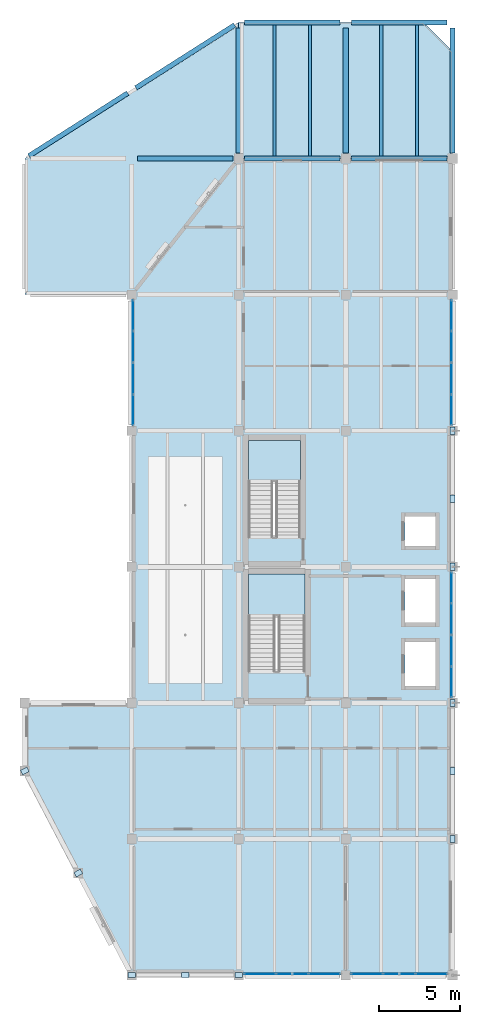
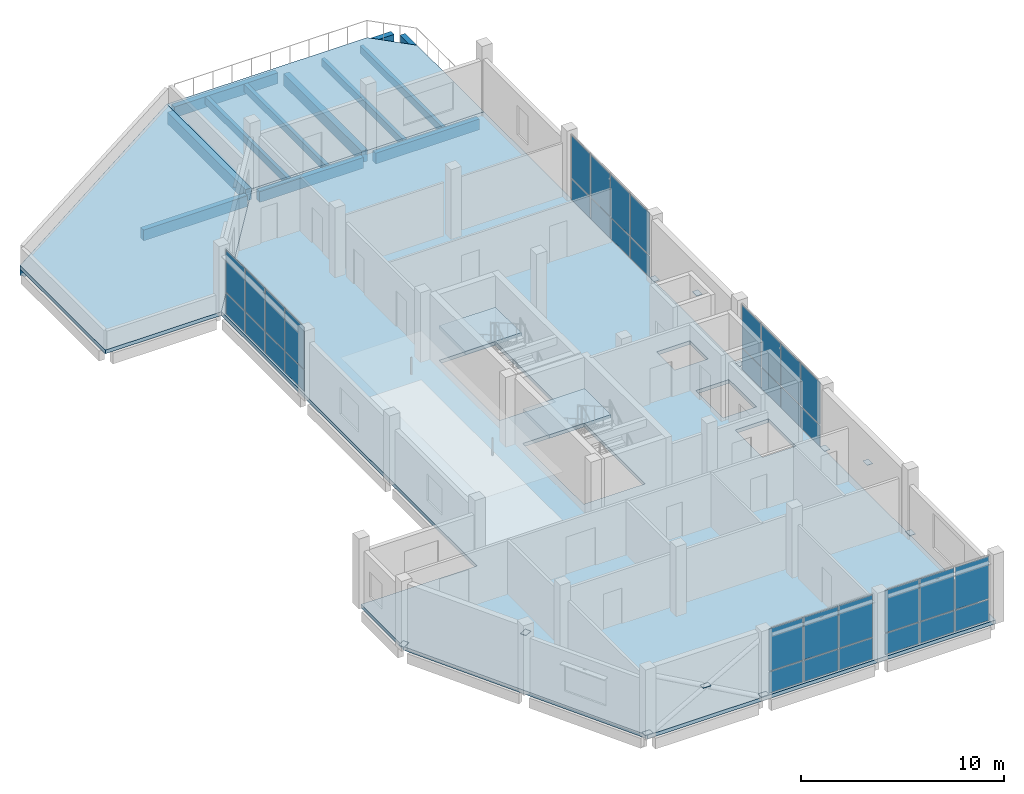
# One storey, part 5 of 12: 47 plates, 14 beams, 5 slabs, 7 elements without a shape of their own.
"""IFC4 building model written with IfcOpenShell, lengths in metres."""

from ifc_helpers import new_model, si_unit, direction, frame, origin, origin_2d, place, context, subcontext, project, spatial, polyline, rectangle, outline, extrude, material, layer, layer_set, material_profile, profile_set, type_object, element, aggregate, save


model = new_model("IFC4")

# Units and contexts
model_context = context("Model", 3, precision=1e-05, world=origin(), true_north=direction((0.0, 1.0)))
body_context = subcontext(model_context, "Body", "Model", "MODEL_VIEW")
ifc_project = project(units=[si_unit("LENGTHUNIT", "METRE"), si_unit("AREAUNIT", "SQUARE_METRE"), si_unit("VOLUMEUNIT", "CUBIC_METRE"), si_unit("PLANEANGLEUNIT", "RADIAN"), si_unit("MASSUNIT", "GRAM", prefix="KILO")], contexts=[model_context])

# Site, building, storey
site_placement = place(None, origin())
site = spatial("IfcSite", under=ifc_project, at=site_placement, CompositionType="ELEMENT")
building_placement = place(site_placement, origin())
building = spatial("IfcBuilding", under=site, at=building_placement, Name="Qaldarim Faculty of Natural and Applied Sciences", CompositionType="ELEMENT")
storey_placement = place(building_placement, frame((0.0, 0.0, 31.199951171875)))
storey = spatial("IfcBuildingStorey", under=building, at=storey_placement, Name="L07", CompositionType="ELEMENT", Elevation=31.199951171875)

# Beams
ifc_material_1 = material(Name="Concrete C40/50", Category="concrete")
ifc_material_profile_1 = material_profile(ifc_material_1, rectangle(XDim=0.199951171875, YDim=0.449951171875, at=origin_2d()), Name="RC-J200x450")
ifc_profile_set_1 = profile_set([ifc_material_profile_1], Name="Concrete C40/50")
beam_type_1 = type_object("IfcBeamType", Name="LabJoist-RC200x450", PredefinedType="JOIST", material=ifc_profile_set_1)
for number, where, z_axis, x_axis, name in (
    (1, (167.199951171875, 50.550048828125, -0.445068359375), (0.0, 1.0, 0.0), (-1.0, 0.0, 0.0), "Laboratory joist L06 bay X26Y07-1"),
    (2, (169.39990234375, 50.550048828125, -0.445068359375), (0.0, 1.0, 0.0), (-1.0, 0.0, 0.0), "Laboratory joist L06 bay X26Y07-2"),
    (3, (173.800048828125, 50.550048828125, -0.445068359375), (0.0, 1.0, 0.0), (-1.0, 0.0, 0.0), "Laboratory joist L06 bay X27Y07-1"),
    (4, (176.0, 50.550048828125, -0.445068359375), (0.0, 1.0, 0.0), (-1.0, 0.0, 0.0), "Laboratory joist L06 bay X27Y07-2"),
):
    element("IfcBeam", number, at=place(storey_placement, frame(where, z_axis=z_axis, x_axis=x_axis)), inside=storey, type_object=beam_type_1, Name=name, PredefinedType="JOIST", context=body_context, shape_type="SweptSolid", body=[
        extrude(rectangle(XDim=0.199951171875, YDim=0.449951171875, at=origin_2d()), origin(), (0.0, 0.0, 1.0), 8.099853515625),
    ])
ifc_material_profile_2 = material_profile(ifc_material_1, rectangle(XDim=0.300048828125, YDim=0.64990234375, at=origin_2d()), Name="RC-B300x650")
ifc_profile_set_2 = profile_set([ifc_material_profile_2], Name="Concrete C40/50")
beam_type_2 = type_object("IfcBeamType", Name="PrimaryBeam-RC300x650", PredefinedType="BEAM", material=ifc_profile_set_2)
for number, where, z_axis, x_axis, name in (
    (5, (158.75, 50.39990234375, -0.544921875), (1.0, 0.0, 0.0), (0.0, 1.0, 0.0), "Beam RC-B300x650 L06 X25-X26/Y07"),
    (6, (165.35009765625, 50.39990234375, -0.544921875), (1.0, 0.0, 0.0), (0.0, 1.0, 0.0), "Beam RC-B300x650 L06 X26-X27/Y07"),
):
    element("IfcBeam", number, at=place(storey_placement, frame(where, z_axis=z_axis, x_axis=x_axis)), inside=storey, type_object=beam_type_2, Name=name, PredefinedType="BEAM", context=body_context, shape_type="SweptSolid", body=[
        extrude(rectangle(XDim=0.300048828125, YDim=0.64990234375, at=origin_2d()), origin(), (0.0, 0.0, 1.0), 5.89990234375),
    ])
beam_1_placement = place(storey_placement, frame((171.949951171875, 50.39990234375, -0.544921875), z_axis=(1.0, 0.0, 0.0), x_axis=(0.0, 1.0, 0.0)))
element("IfcBeam", 7, at=beam_1_placement, inside=storey, type_object=beam_type_2, Name="Beam RC-B300x650 L06 X27-X28/Y07", PredefinedType="BEAM", context=body_context, shape_type="SweptSolid", body=[
    extrude(rectangle(XDim=0.300048828125, YDim=0.64990234375, at=origin_2d()), origin(), (0.0, 0.0, 1.0), 5.900146484375),
])
beam_2_placement = place(storey_placement, frame((165.35009765625, 58.800048828125, -0.544921875), z_axis=(1.0, 0.0, 0.0), x_axis=(0.0, 1.0, 0.0)))
element("IfcBeam", 8, at=beam_2_placement, inside=storey, type_object=beam_type_2, Name="Beam RC-B300x650 L06 X26-X27/Y08", PredefinedType="BEAM", context=body_context, shape_type="SweptSolid", body=[
    extrude(rectangle(XDim=0.300048828125, YDim=0.64990234375, at=origin_2d()), origin(), (0.0, 0.0, 1.0), 5.89990234375),
])
beam_3_placement = place(storey_placement, frame((171.949951171875, 58.800048828125, -0.544921875), z_axis=(1.0, 0.0, 0.0), x_axis=(0.0, 1.0, 0.0)))
element("IfcBeam", 9, at=beam_3_placement, inside=storey, type_object=beam_type_2, Name="Beam RC-B300x650 L06 X27-X28/Y08", PredefinedType="BEAM", context=body_context, shape_type="SweptSolid", body=[
    extrude(rectangle(XDim=0.300048828125, YDim=0.64990234375, at=origin_2d()), origin(), (0.0, 0.0, 1.0), 5.900146484375),
])
ifc_material_profile_3 = material_profile(ifc_material_1, rectangle(XDim=0.35009765625, YDim=0.699951171875, at=origin_2d()), Name="RC-B350x700")
ifc_profile_set_3 = profile_set([ifc_material_profile_3], Name="Concrete C40/50")
beam_type_3 = type_object("IfcBeamType", Name="PrimaryGirder-RC350x700", PredefinedType="BEAM", material=ifc_profile_set_3)
for number, where, z_axis, x_axis, name in (
    (10, (165.0, 50.75, -0.570068359375), (0.0, 1.0, 0.0), (-1.0, 0.0, 0.0), "Beam RC-B350x700 L06 X26/Y07-Y08"),
    (11, (171.60009765625, 50.75, -0.570068359375), (0.0, 1.0, 0.0), (-1.0, 0.0, 0.0), "Beam RC-B350x700 L06 X27/Y07-Y08"),
):
    element("IfcBeam", number, at=place(storey_placement, frame(where, z_axis=z_axis, x_axis=x_axis)), inside=storey, type_object=beam_type_3, Name=name, PredefinedType="BEAM", context=body_context, shape_type="SweptSolid", body=[
        extrude(rectangle(XDim=0.35009765625, YDim=0.699951171875, at=origin_2d()), origin(), (0.0, 0.0, 1.0), 7.699951171875),
    ])
ifc_material_2 = material(Name="Precast concrete C40/50", Category="concrete")
ifc_material_profile_4 = material_profile(ifc_material_2, rectangle(XDim=0.300048828125, YDim=0.60009765625, at=origin_2d()), Name="RC-SP300x600")
ifc_profile_set_4 = profile_set([ifc_material_profile_4], Name="Precast concrete C40/50")
beam_type_4 = type_object("IfcBeamType", Name="SpandrelBeam-RC300x600", PredefinedType="SPANDREL", material=ifc_profile_set_4)
beam_4_placement = place(storey_placement, frame((178.199951171875, 50.75, -0.52001953125), z_axis=(0.0, 1.0, 0.0), x_axis=(-1.0, 0.0, 0.0)))
element("IfcBeam", 12, at=beam_4_placement, inside=storey, type_object=beam_type_4, Name="Beam RC-SP300x600 L06 X28/Y07-Y08", PredefinedType="SPANDREL", context=body_context, shape_type="SweptSolid", body=[
    extrude(rectangle(XDim=0.300048828125, YDim=0.60009765625, at=origin_2d()), origin(), (0.0, 0.0, 1.0), 7.699951171875),
])
beam_5_placement = place(storey_placement, frame((152.050048828125, 50.56005859375, -0.52001953125), z_axis=(0.843776886751, 0.536694107835, 0.0), x_axis=(-0.536694107835, 0.843776886751, 0.0)))
element("IfcBeam", 13, at=beam_5_placement, inside=storey, type_object=beam_type_4, Name="Oblique NW chamfer spandrel L06 1", PredefinedType="SPANDREL", context=body_context, shape_type="SweptSolid", body=[
    extrude(rectangle(XDim=0.300048828125, YDim=0.60009765625, at=origin_2d()), origin(), (0.0, 0.0, 1.0), 7.229248046875),
])
beam_6_placement = place(storey_placement, frame((158.64990234375, 54.760009765625, -0.52001953125), z_axis=(0.843786613851, 0.536678814829, 0.0), x_axis=(-0.536678814829, 0.843786613851, 0.0)))
element("IfcBeam", 14, at=beam_6_placement, inside=storey, type_object=beam_type_4, Name="Oblique NW chamfer spandrel L06 2", PredefinedType="SPANDREL", context=body_context, shape_type="SweptSolid", body=[
    extrude(rectangle(XDim=0.300048828125, YDim=0.60009765625, at=origin_2d()), origin(), (0.0, 0.0, 1.0), 7.2294921875),
])

# Slab
ifc_layer_1 = layer(ifc_material_1, 0.239990234375)
ifc_layer_set_1 = layer_set([ifc_layer_1], Name="Concrete C40/50")
slab_type_1 = type_object("IfcSlabType", Name="FlatStructuralRoofSlab-240", PredefinedType="ROOF", material=ifc_layer_set_1)
slab_1_placement = place(storey_placement, frame((0.0, 0.0, -0.219970703125)))
element("IfcSlab", 15, at=slab_1_placement, inside=storey, type_object=slab_type_1, Name="Research wing lower NW setback roof slab L07", PredefinedType="ROOF", context=body_context, shape_type="SweptSolid", body=[
    extrude(outline(polyline([(151.800048828125, 42.0), (158.39990234375, 42.0), (165.0, 50.39990234375), (165.0, 58.800048828125), (151.800048828125, 50.39990234375), (151.800048828125, 42.0)])), origin(), (0.0, 0.0, 1.0), 0.219970703125),
])

# Plates
ifc_material_3 = material(Name="Structural steel S355", Category="steel")
ifc_layer_2 = layer(ifc_material_3, 0.02001953125)
ifc_layer_set_2 = layer_set([ifc_layer_2], Name="Structural steel S355")
plate_type_1 = type_object("IfcPlateType", Name="GussetPlate-S355-450x320x20", PredefinedType="SHEET", material=ifc_layer_set_2)
for number, where, z_axis, x_axis, name in (
    (16, (161.699951171875, 0.0, 1.830078125), (0.0, 0.0, 1.0), (1.0, 0.0, 0.0), "South diagrid L07 X-crossing gusset plate"),
    (17, (158.39990234375, 0.0, 0.14013671875), (0.0, 0.0, 1.0), (1.0, 0.0, 0.0), "South diagrid L07 base gusset BL"),
    (18, (165.0, 0.0, 0.14013671875), (0.0, 0.0, 1.0), (1.0, 0.0, 0.0), "South diagrid L07 base gusset BR"),
    (19, (178.199951171875, 12.60009765625, 1.830078125), (0.0, 0.0, 1.0), (0.0, 1.0, 0.0), "East diagrid L07 X-crossing gusset plate"),
    (20, (178.199951171875, 8.39990234375, 0.14013671875), (0.0, 0.0, 1.0), (0.0, 1.0, 0.0), "East diagrid L07 base gusset BL"),
    (21, (178.199951171875, 16.800048828125, 0.14013671875), (0.0, 0.0, 1.0), (0.0, 1.0, 0.0), "East diagrid L07 base gusset BR"),
    (22, (178.199951171875, 29.39990234375, 1.830078125), (0.0, 0.0, 1.0), (0.0, 1.0, 0.0), "Upper east diagrid L07 X-crossing gusset plate"),
    (23, (178.199951171875, 25.199951171875, 0.14013671875), (0.0, 0.0, 1.0), (0.0, 1.0, 0.0), "Upper east diagrid L07 base gusset BL"),
    (24, (178.199951171875, 33.60009765625, 0.14013671875), (0.0, 0.0, 1.0), (0.0, 1.0, 0.0), "Upper east diagrid L07 base gusset BR"),
    (25, (151.800048828125, 12.60009765625, 0.150146484375), (0.0, 0.0, 1.0), (0.882947592859, 0.469471562786, 0.0), "Oblique SW brace base plate L07 1"),
    (26, (155.10009765625, 6.300048828125, 3.510009765625), (0.0, 0.0, 1.0), (0.882947592859, 0.469471562786, 0.0), "Oblique SW brace head plate L07 1"),
):
    element("IfcPlate", number, at=place(storey_placement, frame(where, z_axis=z_axis, x_axis=x_axis)), inside=storey, type_object=plate_type_1, Name=name, PredefinedType="SHEET", context=body_context, shape_type="SweptSolid", body=[
        extrude(rectangle(XDim=0.449951171875, YDim=0.320068359375, at=origin_2d()), origin(), (0.0, 0.0, 1.0), 0.02001953125),
    ])

# Slab
ifc_layer_3 = layer(ifc_material_1, 0.219970703125)
ifc_layer_set_3 = layer_set([ifc_layer_3], Name="Concrete C40/50")
slab_type_2 = type_object("IfcSlabType", Name="ResearchWingSlab-220", PredefinedType="FLOOR", material=ifc_layer_set_3)
slab_2_placement = place(storey_placement, frame((0.0, 0.0, -0.219970703125)))
element("IfcSlab", 27, at=slab_2_placement, inside=storey, type_object=slab_type_2, Name="Floor slab L07 V5", PredefinedType="FLOOR", context=body_context, shape_type="SweptSolid", body=[
    extrude(outline(polyline([(158.39990234375, 0.0), (178.199951171875, 0.0), (178.199951171875, 50.39990234375), (165.0, 50.39990234375), (158.39990234375, 42.0), (158.39990234375, 16.800048828125), (151.800048828125, 16.800048828125), (151.800048828125, 12.60009765625), (158.39990234375, 0.0)]), holes=[polyline([(169.10009765625, 18.764892578125), (169.10009765625, 24.77490234375), (165.60009765625, 24.77490234375), (165.60009765625, 18.764892578125), (169.10009765625, 18.764892578125)]), polyline([(168.800048828125, 27.06494140625), (168.800048828125, 33.02490234375), (165.60009765625, 33.02490234375), (165.60009765625, 27.06494140625), (168.800048828125, 27.06494140625)]), polyline([(175.25, 17.85009765625), (177.14990234375, 17.85009765625), (177.14990234375, 20.550048828125), (175.25, 20.550048828125), (175.25, 17.85009765625)]), polyline([(175.25, 21.75), (177.14990234375, 21.75), (177.14990234375, 24.449951171875), (175.25, 24.449951171875), (175.25, 21.75)]), polyline([(175.25, 26.5), (177.14990234375, 26.5), (177.14990234375, 28.300048828125), (175.25, 28.300048828125), (175.25, 26.5)])]), origin(), (0.0, 0.0, 1.0), 0.219970703125),
])

# Stair, slab
stair_type_1 = type_object("IfcStairType", Name="DoglegStair-W1650-H4200-26R", PredefinedType="HALF_TURN_STAIR", material=ifc_material_1)
stair_1_placement = place(storey_placement, origin())
stair_1 = element("IfcStair", 28, at=stair_1_placement, inside=storey, type_object=stair_type_1, Name="Enclosed exit stair ST-A1 L07", PredefinedType="HALF_TURN_STAIR")
ifc_layer_4 = layer(ifc_material_1, 0.2099609375)
ifc_layer_set_4 = layer_set([ifc_layer_4], Name="Concrete C40/50")
slab_type_3 = type_object("IfcSlabType", Name="StairLandingSlab-210", PredefinedType="LANDING", material=ifc_layer_set_4)
slab_3_placement = place(storey_placement, frame((0.0, 0.0, 1.89013671875)))
slab_3 = element("IfcSlab", 29, at=slab_3_placement, type_object=slab_type_3, Name="ST-A1 L07 half-landing 1", PredefinedType="LANDING", context=body_context, shape_type="SweptSolid", body=[
    extrude(outline(polyline([(169.10009765625, 22.155029296875), (169.10009765625, 24.75), (165.60009765625, 24.75), (165.60009765625, 22.155029296875), (169.10009765625, 22.155029296875)])), origin(), (0.0, 0.0, 1.0), 0.2099609375),
])
aggregate(stair_1, [slab_3])

stair_type_2 = type_object("IfcStairType", Name="DoglegStair-W1500-H4200-26R", PredefinedType="HALF_TURN_STAIR", material=ifc_material_1)
stair_2_placement = place(storey_placement, origin())
stair_2 = element("IfcStair", 30, at=stair_2_placement, inside=storey, type_object=stair_type_2, Name="Enclosed exit stair ST-A2 L07", PredefinedType="HALF_TURN_STAIR")
slab_4_placement = place(storey_placement, frame((0.0, 0.0, 1.89013671875)))
slab_4 = element("IfcSlab", 31, at=slab_4_placement, type_object=slab_type_3, Name="ST-A2 L07 half-landing 1", PredefinedType="LANDING", context=body_context, shape_type="SweptSolid", body=[
    extrude(outline(polyline([(168.800048828125, 30.455078125), (168.800048828125, 33.0), (165.60009765625, 33.0), (165.60009765625, 30.455078125), (168.800048828125, 30.455078125)])), origin(), (0.0, 0.0, 1.0), 0.2099609375),
])
aggregate(stair_2, [slab_4])

# Slab
ifc_layer_5 = layer(ifc_material_1, 0.179931640625)
ifc_layer_set_5 = layer_set([ifc_layer_5], Name="Concrete C40/50")
slab_type_4 = type_object("IfcSlabType", Name="TerraceBalconySlab-180", PredefinedType="FLOOR", material=ifc_layer_set_5)
slab_5_placement = place(storey_placement, frame((0.0, 0.0, -0.179931640625)))
element("IfcSlab", 32, at=slab_5_placement, inside=storey, type_object=slab_type_4, Name="Academic outdoor terrace L07 V5-SHOULDER1-TERRACE", PredefinedType="FLOOR", context=body_context, shape_type="SweptSolid", body=[
    extrude(outline(polyline([(165.0, 50.39990234375), (178.199951171875, 50.39990234375), (178.199951171875, 57.0), (176.39990234375, 58.800048828125), (165.0, 58.800048828125), (165.0, 50.39990234375)])), origin(), (0.0, 0.0, 1.0), 0.179931640625),
])

# Curtain wall, plates
ifc_material_4 = material(Name="Anodised aluminium AW-6063", Category="aluminium")
curtain_wall_type = type_object("IfcCurtainWallType", Name="CurtainWallSystem-M1800", PredefinedType="USERDEFINED", material=ifc_material_4)
curtain_wall_1_placement = place(storey_placement, origin())
curtain_wall_1 = element("IfcCurtainWall", 33, at=curtain_wall_1_placement, inside=storey, type_object=curtain_wall_type, Name="Curtain wall CW-L07-W-X25Y05", ObjectType="UNITISED FACADE", PredefinedType="USERDEFINED")
ifc_material_5 = material(Name="Insulated low-e double glazing", Category="glass")
ifc_layer_6 = layer(ifc_material_5, 0.028076171875)
ifc_layer_set_6 = layer_set([ifc_layer_6], Name="Insulated low-e double glazing")
plate_type_2 = type_object("IfcPlateType", Name="VisionGlazingPanel-28", PredefinedType="CURTAIN_PANEL", material=ifc_layer_set_6)
plate_1_placement = place(storey_placement, frame((158.47998046875, 40.713623046875, 0.06005859375), z_axis=(0.0, 0.0, 1.0), x_axis=(0.0, -1.0, 0.0)))
plate_1 = element("IfcPlate", 34, at=plate_1_placement, type_object=plate_type_2, Name="Glazed panel 1-1 of CW-L07-W-X25Y05", PredefinedType="CURTAIN_PANEL", context=body_context, shape_type="SweptSolid", body=[
    extrude(rectangle(XDim=1.862548828125, YDim=0.028076171875, at=origin_2d()), origin(), (0.0, 0.0, 1.0), 1.260009765625),
])
plate_2_placement = place(storey_placement, frame((158.47998046875, 40.713623046875, 1.380126953125), z_axis=(0.0, 0.0, 1.0), x_axis=(0.0, -1.0, 0.0)))
plate_2 = element("IfcPlate", 35, at=plate_2_placement, type_object=plate_type_2, Name="Glazed panel 1-2 of CW-L07-W-X25Y05", PredefinedType="CURTAIN_PANEL", context=body_context, shape_type="SweptSolid", body=[
    extrude(rectangle(XDim=1.862548828125, YDim=0.028076171875, at=origin_2d()), origin(), (0.0, 0.0, 1.0), 2.5400390625),
])
plate_3_placement = place(storey_placement, frame((158.47998046875, 38.776123046875, 0.06005859375), z_axis=(0.0, 0.0, 1.0), x_axis=(0.0, -1.0, 0.0)))
plate_3 = element("IfcPlate", 36, at=plate_3_placement, type_object=plate_type_2, Name="Glazed panel 2-1 of CW-L07-W-X25Y05", PredefinedType="CURTAIN_PANEL", context=body_context, shape_type="SweptSolid", body=[
    extrude(rectangle(XDim=1.892578125, YDim=0.028076171875, at=origin_2d()), origin(), (0.0, 0.0, 1.0), 1.260009765625),
])
plate_4_placement = place(storey_placement, frame((158.47998046875, 38.776123046875, 1.380126953125), z_axis=(0.0, 0.0, 1.0), x_axis=(0.0, -1.0, 0.0)))
plate_4 = element("IfcPlate", 37, at=plate_4_placement, type_object=plate_type_2, Name="Glazed panel 2-2 of CW-L07-W-X25Y05", PredefinedType="CURTAIN_PANEL", context=body_context, shape_type="SweptSolid", body=[
    extrude(rectangle(XDim=1.892578125, YDim=0.028076171875, at=origin_2d()), origin(), (0.0, 0.0, 1.0), 2.5400390625),
])
plate_5_placement = place(storey_placement, frame((158.47998046875, 36.82373046875, 0.06005859375), z_axis=(0.0, 0.0, 1.0), x_axis=(0.0, -1.0, 0.0)))
plate_5 = element("IfcPlate", 38, at=plate_5_placement, type_object=plate_type_2, Name="Glazed panel 3-1 of CW-L07-W-X25Y05", PredefinedType="CURTAIN_PANEL", context=body_context, shape_type="SweptSolid", body=[
    extrude(rectangle(XDim=1.892578125, YDim=0.028076171875, at=origin_2d()), origin(), (0.0, 0.0, 1.0), 1.260009765625),
])
plate_6_placement = place(storey_placement, frame((158.47998046875, 36.82373046875, 1.380126953125), z_axis=(0.0, 0.0, 1.0), x_axis=(0.0, -1.0, 0.0)))
plate_6 = element("IfcPlate", 39, at=plate_6_placement, type_object=plate_type_2, Name="Glazed panel 3-2 of CW-L07-W-X25Y05", PredefinedType="CURTAIN_PANEL", context=body_context, shape_type="SweptSolid", body=[
    extrude(rectangle(XDim=1.892578125, YDim=0.028076171875, at=origin_2d()), origin(), (0.0, 0.0, 1.0), 2.5400390625),
])
plate_7_placement = place(storey_placement, frame((158.47998046875, 34.88623046875, 0.06005859375), z_axis=(0.0, 0.0, 1.0), x_axis=(0.0, -1.0, 0.0)))
plate_7 = element("IfcPlate", 40, at=plate_7_placement, type_object=plate_type_2, Name="Glazed panel 4-1 of CW-L07-W-X25Y05", PredefinedType="CURTAIN_PANEL", context=body_context, shape_type="SweptSolid", body=[
    extrude(rectangle(XDim=1.862548828125, YDim=0.028076171875, at=origin_2d()), origin(), (0.0, 0.0, 1.0), 1.260009765625),
])
plate_8_placement = place(storey_placement, frame((158.47998046875, 34.88623046875, 1.380126953125), z_axis=(0.0, 0.0, 1.0), x_axis=(0.0, -1.0, 0.0)))
plate_8 = element("IfcPlate", 41, at=plate_8_placement, type_object=plate_type_2, Name="Glazed panel 4-2 of CW-L07-W-X25Y05", PredefinedType="CURTAIN_PANEL", context=body_context, shape_type="SweptSolid", body=[
    extrude(rectangle(XDim=1.862548828125, YDim=0.028076171875, at=origin_2d()), origin(), (0.0, 0.0, 1.0), 2.5400390625),
])
aggregate(curtain_wall_1, [plate_1, plate_2, plate_3, plate_4, plate_5, plate_6, plate_7, plate_8])

curtain_wall_2_placement = place(storey_placement, origin())
curtain_wall_2 = element("IfcCurtainWall", 42, at=curtain_wall_2_placement, inside=storey, type_object=curtain_wall_type, Name="Curtain wall CW-L07-S-X26Y01", ObjectType="UNITISED FACADE", PredefinedType="USERDEFINED")
plate_9_placement = place(storey_placement, frame((166.311767578125, 0.080078125, 0.06005859375), z_axis=(0.0, 0.0, 1.0), x_axis=(1.0, 0.0, 0.0)))
plate_9 = element("IfcPlate", 43, at=plate_9_placement, type_object=plate_type_2, Name="Glazed panel 1-1 of CW-L07-S-X26Y01", PredefinedType="CURTAIN_PANEL", context=body_context, shape_type="SweptSolid", body=[
    extrude(rectangle(XDim=1.913330078125, YDim=0.028076171875, at=origin_2d()), origin(), (0.0, 0.0, 1.0), 1.260009765625),
])
plate_10_placement = place(storey_placement, frame((166.311767578125, 0.080078125, 1.380126953125), z_axis=(0.0, 0.0, 1.0), x_axis=(1.0, 0.0, 0.0)))
plate_10 = element("IfcPlate", 44, at=plate_10_placement, type_object=plate_type_2, Name="Glazed panel 1-2 of CW-L07-S-X26Y01", PredefinedType="CURTAIN_PANEL", context=body_context, shape_type="SweptSolid", body=[
    extrude(rectangle(XDim=1.913330078125, YDim=0.028076171875, at=origin_2d()), origin(), (0.0, 0.0, 1.0), 2.5400390625),
])
plate_11_placement = place(storey_placement, frame((168.300048828125, 0.080078125, 0.06005859375), z_axis=(0.0, 0.0, 1.0), x_axis=(1.0, 0.0, 0.0)))
plate_11 = element("IfcPlate", 45, at=plate_11_placement, type_object=plate_type_2, Name="Glazed panel 2-1 of CW-L07-S-X26Y01", PredefinedType="CURTAIN_PANEL", context=body_context, shape_type="SweptSolid", body=[
    extrude(rectangle(XDim=1.943359375, YDim=0.028076171875, at=origin_2d()), origin(), (0.0, 0.0, 1.0), 1.260009765625),
])
plate_12_placement = place(storey_placement, frame((168.300048828125, 0.080078125, 1.380126953125), z_axis=(0.0, 0.0, 1.0), x_axis=(1.0, 0.0, 0.0)))
plate_12 = element("IfcPlate", 46, at=plate_12_placement, type_object=plate_type_2, Name="Glazed panel 2-2 of CW-L07-S-X26Y01", PredefinedType="CURTAIN_PANEL", context=body_context, shape_type="SweptSolid", body=[
    extrude(rectangle(XDim=1.943359375, YDim=0.028076171875, at=origin_2d()), origin(), (0.0, 0.0, 1.0), 2.5400390625),
])
plate_13_placement = place(storey_placement, frame((170.288330078125, 0.080078125, 0.06005859375), z_axis=(0.0, 0.0, 1.0), x_axis=(1.0, 0.0, 0.0)))
plate_13 = element("IfcPlate", 47, at=plate_13_placement, type_object=plate_type_2, Name="Glazed panel 3-1 of CW-L07-S-X26Y01", PredefinedType="CURTAIN_PANEL", context=body_context, shape_type="SweptSolid", body=[
    extrude(rectangle(XDim=1.913330078125, YDim=0.028076171875, at=origin_2d()), origin(), (0.0, 0.0, 1.0), 1.260009765625),
])
plate_14_placement = place(storey_placement, frame((170.288330078125, 0.080078125, 1.380126953125), z_axis=(0.0, 0.0, 1.0), x_axis=(1.0, 0.0, 0.0)))
plate_14 = element("IfcPlate", 48, at=plate_14_placement, type_object=plate_type_2, Name="Glazed panel 3-2 of CW-L07-S-X26Y01", PredefinedType="CURTAIN_PANEL", context=body_context, shape_type="SweptSolid", body=[
    extrude(rectangle(XDim=1.913330078125, YDim=0.028076171875, at=origin_2d()), origin(), (0.0, 0.0, 1.0), 2.5400390625),
])
aggregate(curtain_wall_2, [plate_9, plate_10, plate_11, plate_12, plate_13, plate_14])

curtain_wall_3_placement = place(storey_placement, origin())
curtain_wall_3 = element("IfcCurtainWall", 49, at=curtain_wall_3_placement, inside=storey, type_object=curtain_wall_type, Name="Curtain wall CW-L07-S-X27Y01", ObjectType="UNITISED FACADE", PredefinedType="USERDEFINED")
plate_15_placement = place(storey_placement, frame((172.91162109375, 0.080078125, 0.06005859375), z_axis=(0.0, 0.0, 1.0), x_axis=(1.0, 0.0, 0.0)))
plate_15 = element("IfcPlate", 50, at=plate_15_placement, type_object=plate_type_2, Name="Glazed panel 1-1 of CW-L07-S-X27Y01", PredefinedType="CURTAIN_PANEL", context=body_context, shape_type="SweptSolid", body=[
    extrude(rectangle(XDim=1.913330078125, YDim=0.028076171875, at=origin_2d()), origin(), (0.0, 0.0, 1.0), 1.260009765625),
])
plate_16_placement = place(storey_placement, frame((172.91162109375, 0.080078125, 1.380126953125), z_axis=(0.0, 0.0, 1.0), x_axis=(1.0, 0.0, 0.0)))
plate_16 = element("IfcPlate", 51, at=plate_16_placement, type_object=plate_type_2, Name="Glazed panel 1-2 of CW-L07-S-X27Y01", PredefinedType="CURTAIN_PANEL", context=body_context, shape_type="SweptSolid", body=[
    extrude(rectangle(XDim=1.913330078125, YDim=0.028076171875, at=origin_2d()), origin(), (0.0, 0.0, 1.0), 2.5400390625),
])
plate_17_placement = place(storey_placement, frame((174.89990234375, 0.080078125, 0.06005859375), z_axis=(0.0, 0.0, 1.0), x_axis=(1.0, 0.0, 0.0)))
plate_17 = element("IfcPlate", 52, at=plate_17_placement, type_object=plate_type_2, Name="Glazed panel 2-1 of CW-L07-S-X27Y01", PredefinedType="CURTAIN_PANEL", context=body_context, shape_type="SweptSolid", body=[
    extrude(rectangle(XDim=1.943359375, YDim=0.028076171875, at=origin_2d()), origin(), (0.0, 0.0, 1.0), 1.260009765625),
])
plate_18_placement = place(storey_placement, frame((174.89990234375, 0.080078125, 1.380126953125), z_axis=(0.0, 0.0, 1.0), x_axis=(1.0, 0.0, 0.0)))
plate_18 = element("IfcPlate", 53, at=plate_18_placement, type_object=plate_type_2, Name="Glazed panel 2-2 of CW-L07-S-X27Y01", PredefinedType="CURTAIN_PANEL", context=body_context, shape_type="SweptSolid", body=[
    extrude(rectangle(XDim=1.943359375, YDim=0.028076171875, at=origin_2d()), origin(), (0.0, 0.0, 1.0), 2.5400390625),
])
plate_19_placement = place(storey_placement, frame((176.88818359375, 0.080078125, 0.06005859375), z_axis=(0.0, 0.0, 1.0), x_axis=(1.0, 0.0, 0.0)))
plate_19 = element("IfcPlate", 54, at=plate_19_placement, type_object=plate_type_2, Name="Glazed panel 3-1 of CW-L07-S-X27Y01", PredefinedType="CURTAIN_PANEL", context=body_context, shape_type="SweptSolid", body=[
    extrude(rectangle(XDim=1.913330078125, YDim=0.028076171875, at=origin_2d()), origin(), (0.0, 0.0, 1.0), 1.260009765625),
])
plate_20_placement = place(storey_placement, frame((176.88818359375, 0.080078125, 1.380126953125), z_axis=(0.0, 0.0, 1.0), x_axis=(1.0, 0.0, 0.0)))
plate_20 = element("IfcPlate", 55, at=plate_20_placement, type_object=plate_type_2, Name="Glazed panel 3-2 of CW-L07-S-X27Y01", PredefinedType="CURTAIN_PANEL", context=body_context, shape_type="SweptSolid", body=[
    extrude(rectangle(XDim=1.913330078125, YDim=0.028076171875, at=origin_2d()), origin(), (0.0, 0.0, 1.0), 2.5400390625),
])
aggregate(curtain_wall_3, [plate_15, plate_16, plate_17, plate_18, plate_19, plate_20])

curtain_wall_4_placement = place(storey_placement, origin())
curtain_wall_4 = element("IfcCurtainWall", 56, at=curtain_wall_4_placement, inside=storey, type_object=curtain_wall_type, Name="Curtain wall CW-L07-E-X27Y03", ObjectType="UNITISED FACADE", PredefinedType="USERDEFINED")
plate_21_placement = place(storey_placement, frame((178.1201171875, 18.086181640625, 0.06005859375), z_axis=(0.0, 0.0, 1.0), x_axis=(0.0, 1.0, 0.0)))
plate_21 = element("IfcPlate", 57, at=plate_21_placement, type_object=plate_type_2, Name="Glazed panel 1-1 of CW-L07-E-X27Y03", PredefinedType="CURTAIN_PANEL", context=body_context, shape_type="SweptSolid", body=[
    extrude(rectangle(XDim=1.862548828125, YDim=0.028076171875, at=origin_2d()), origin(), (0.0, 0.0, 1.0), 1.260009765625),
])
plate_22_placement = place(storey_placement, frame((178.1201171875, 18.086181640625, 1.380126953125), z_axis=(0.0, 0.0, 1.0), x_axis=(0.0, 1.0, 0.0)))
plate_22 = element("IfcPlate", 58, at=plate_22_placement, type_object=plate_type_2, Name="Glazed panel 1-2 of CW-L07-E-X27Y03", PredefinedType="CURTAIN_PANEL", context=body_context, shape_type="SweptSolid", body=[
    extrude(rectangle(XDim=1.862548828125, YDim=0.028076171875, at=origin_2d()), origin(), (0.0, 0.0, 1.0), 2.5400390625),
])
plate_23_placement = place(storey_placement, frame((178.1201171875, 20.023681640625, 0.06005859375), z_axis=(0.0, 0.0, 1.0), x_axis=(0.0, 1.0, 0.0)))
plate_23 = element("IfcPlate", 59, at=plate_23_placement, type_object=plate_type_2, Name="Glazed panel 2-1 of CW-L07-E-X27Y03", PredefinedType="CURTAIN_PANEL", context=body_context, shape_type="SweptSolid", body=[
    extrude(rectangle(XDim=1.892578125, YDim=0.028076171875, at=origin_2d()), origin(), (0.0, 0.0, 1.0), 1.260009765625),
])
plate_24_placement = place(storey_placement, frame((178.1201171875, 20.023681640625, 1.380126953125), z_axis=(0.0, 0.0, 1.0), x_axis=(0.0, 1.0, 0.0)))
plate_24 = element("IfcPlate", 60, at=plate_24_placement, type_object=plate_type_2, Name="Glazed panel 2-2 of CW-L07-E-X27Y03", PredefinedType="CURTAIN_PANEL", context=body_context, shape_type="SweptSolid", body=[
    extrude(rectangle(XDim=1.892578125, YDim=0.028076171875, at=origin_2d()), origin(), (0.0, 0.0, 1.0), 2.5400390625),
])
plate_25_placement = place(storey_placement, frame((178.1201171875, 21.976318359375, 0.06005859375), z_axis=(0.0, 0.0, 1.0), x_axis=(0.0, 1.0, 0.0)))
plate_25 = element("IfcPlate", 61, at=plate_25_placement, type_object=plate_type_2, Name="Glazed panel 3-1 of CW-L07-E-X27Y03", PredefinedType="CURTAIN_PANEL", context=body_context, shape_type="SweptSolid", body=[
    extrude(rectangle(XDim=1.892578125, YDim=0.028076171875, at=origin_2d()), origin(), (0.0, 0.0, 1.0), 1.260009765625),
])
plate_26_placement = place(storey_placement, frame((178.1201171875, 21.976318359375, 1.380126953125), z_axis=(0.0, 0.0, 1.0), x_axis=(0.0, 1.0, 0.0)))
plate_26 = element("IfcPlate", 62, at=plate_26_placement, type_object=plate_type_2, Name="Glazed panel 3-2 of CW-L07-E-X27Y03", PredefinedType="CURTAIN_PANEL", context=body_context, shape_type="SweptSolid", body=[
    extrude(rectangle(XDim=1.892578125, YDim=0.028076171875, at=origin_2d()), origin(), (0.0, 0.0, 1.0), 2.5400390625),
])
plate_27_placement = place(storey_placement, frame((178.1201171875, 23.913818359375, 0.06005859375), z_axis=(0.0, 0.0, 1.0), x_axis=(0.0, 1.0, 0.0)))
plate_27 = element("IfcPlate", 63, at=plate_27_placement, type_object=plate_type_2, Name="Glazed panel 4-1 of CW-L07-E-X27Y03", PredefinedType="CURTAIN_PANEL", context=body_context, shape_type="SweptSolid", body=[
    extrude(rectangle(XDim=1.862548828125, YDim=0.028076171875, at=origin_2d()), origin(), (0.0, 0.0, 1.0), 1.260009765625),
])
plate_28_placement = place(storey_placement, frame((178.1201171875, 23.913818359375, 1.380126953125), z_axis=(0.0, 0.0, 1.0), x_axis=(0.0, 1.0, 0.0)))
plate_28 = element("IfcPlate", 64, at=plate_28_placement, type_object=plate_type_2, Name="Glazed panel 4-2 of CW-L07-E-X27Y03", PredefinedType="CURTAIN_PANEL", context=body_context, shape_type="SweptSolid", body=[
    extrude(rectangle(XDim=1.862548828125, YDim=0.028076171875, at=origin_2d()), origin(), (0.0, 0.0, 1.0), 2.5400390625),
])
aggregate(curtain_wall_4, [plate_21, plate_22, plate_23, plate_24, plate_25, plate_26, plate_27, plate_28])

curtain_wall_5_placement = place(storey_placement, origin())
curtain_wall_5 = element("IfcCurtainWall", 65, at=curtain_wall_5_placement, inside=storey, type_object=curtain_wall_type, Name="Curtain wall CW-L07-E-X27Y05", ObjectType="UNITISED FACADE", PredefinedType="USERDEFINED")
plate_29_placement = place(storey_placement, frame((178.1201171875, 34.88623046875, 0.06005859375), z_axis=(0.0, 0.0, 1.0), x_axis=(0.0, 1.0, 0.0)))
plate_29 = element("IfcPlate", 66, at=plate_29_placement, type_object=plate_type_2, Name="Glazed panel 1-1 of CW-L07-E-X27Y05", PredefinedType="CURTAIN_PANEL", context=body_context, shape_type="SweptSolid", body=[
    extrude(rectangle(XDim=1.862548828125, YDim=0.028076171875, at=origin_2d()), origin(), (0.0, 0.0, 1.0), 1.260009765625),
])
plate_30_placement = place(storey_placement, frame((178.1201171875, 34.88623046875, 1.380126953125), z_axis=(0.0, 0.0, 1.0), x_axis=(0.0, 1.0, 0.0)))
plate_30 = element("IfcPlate", 67, at=plate_30_placement, type_object=plate_type_2, Name="Glazed panel 1-2 of CW-L07-E-X27Y05", PredefinedType="CURTAIN_PANEL", context=body_context, shape_type="SweptSolid", body=[
    extrude(rectangle(XDim=1.862548828125, YDim=0.028076171875, at=origin_2d()), origin(), (0.0, 0.0, 1.0), 2.5400390625),
])
plate_31_placement = place(storey_placement, frame((178.1201171875, 36.82373046875, 0.06005859375), z_axis=(0.0, 0.0, 1.0), x_axis=(0.0, 1.0, 0.0)))
plate_31 = element("IfcPlate", 68, at=plate_31_placement, type_object=plate_type_2, Name="Glazed panel 2-1 of CW-L07-E-X27Y05", PredefinedType="CURTAIN_PANEL", context=body_context, shape_type="SweptSolid", body=[
    extrude(rectangle(XDim=1.892578125, YDim=0.028076171875, at=origin_2d()), origin(), (0.0, 0.0, 1.0), 1.260009765625),
])
plate_32_placement = place(storey_placement, frame((178.1201171875, 36.82373046875, 1.380126953125), z_axis=(0.0, 0.0, 1.0), x_axis=(0.0, 1.0, 0.0)))
plate_32 = element("IfcPlate", 69, at=plate_32_placement, type_object=plate_type_2, Name="Glazed panel 2-2 of CW-L07-E-X27Y05", PredefinedType="CURTAIN_PANEL", context=body_context, shape_type="SweptSolid", body=[
    extrude(rectangle(XDim=1.892578125, YDim=0.028076171875, at=origin_2d()), origin(), (0.0, 0.0, 1.0), 2.5400390625),
])
plate_33_placement = place(storey_placement, frame((178.1201171875, 38.776123046875, 0.06005859375), z_axis=(0.0, 0.0, 1.0), x_axis=(0.0, 1.0, 0.0)))
plate_33 = element("IfcPlate", 70, at=plate_33_placement, type_object=plate_type_2, Name="Glazed panel 3-1 of CW-L07-E-X27Y05", PredefinedType="CURTAIN_PANEL", context=body_context, shape_type="SweptSolid", body=[
    extrude(rectangle(XDim=1.892578125, YDim=0.028076171875, at=origin_2d()), origin(), (0.0, 0.0, 1.0), 1.260009765625),
])
plate_34_placement = place(storey_placement, frame((178.1201171875, 38.776123046875, 1.380126953125), z_axis=(0.0, 0.0, 1.0), x_axis=(0.0, 1.0, 0.0)))
plate_34 = element("IfcPlate", 71, at=plate_34_placement, type_object=plate_type_2, Name="Glazed panel 3-2 of CW-L07-E-X27Y05", PredefinedType="CURTAIN_PANEL", context=body_context, shape_type="SweptSolid", body=[
    extrude(rectangle(XDim=1.892578125, YDim=0.028076171875, at=origin_2d()), origin(), (0.0, 0.0, 1.0), 2.5400390625),
])
plate_35_placement = place(storey_placement, frame((178.1201171875, 40.713623046875, 0.06005859375), z_axis=(0.0, 0.0, 1.0), x_axis=(0.0, 1.0, 0.0)))
plate_35 = element("IfcPlate", 72, at=plate_35_placement, type_object=plate_type_2, Name="Glazed panel 4-1 of CW-L07-E-X27Y05", PredefinedType="CURTAIN_PANEL", context=body_context, shape_type="SweptSolid", body=[
    extrude(rectangle(XDim=1.862548828125, YDim=0.028076171875, at=origin_2d()), origin(), (0.0, 0.0, 1.0), 1.260009765625),
])
plate_36_placement = place(storey_placement, frame((178.1201171875, 40.713623046875, 1.380126953125), z_axis=(0.0, 0.0, 1.0), x_axis=(0.0, 1.0, 0.0)))
plate_36 = element("IfcPlate", 73, at=plate_36_placement, type_object=plate_type_2, Name="Glazed panel 4-2 of CW-L07-E-X27Y05", PredefinedType="CURTAIN_PANEL", context=body_context, shape_type="SweptSolid", body=[
    extrude(rectangle(XDim=1.862548828125, YDim=0.028076171875, at=origin_2d()), origin(), (0.0, 0.0, 1.0), 2.5400390625),
])
aggregate(curtain_wall_5, [plate_29, plate_30, plate_31, plate_32, plate_33, plate_34, plate_35, plate_36])

save(model, "model.ifc")
